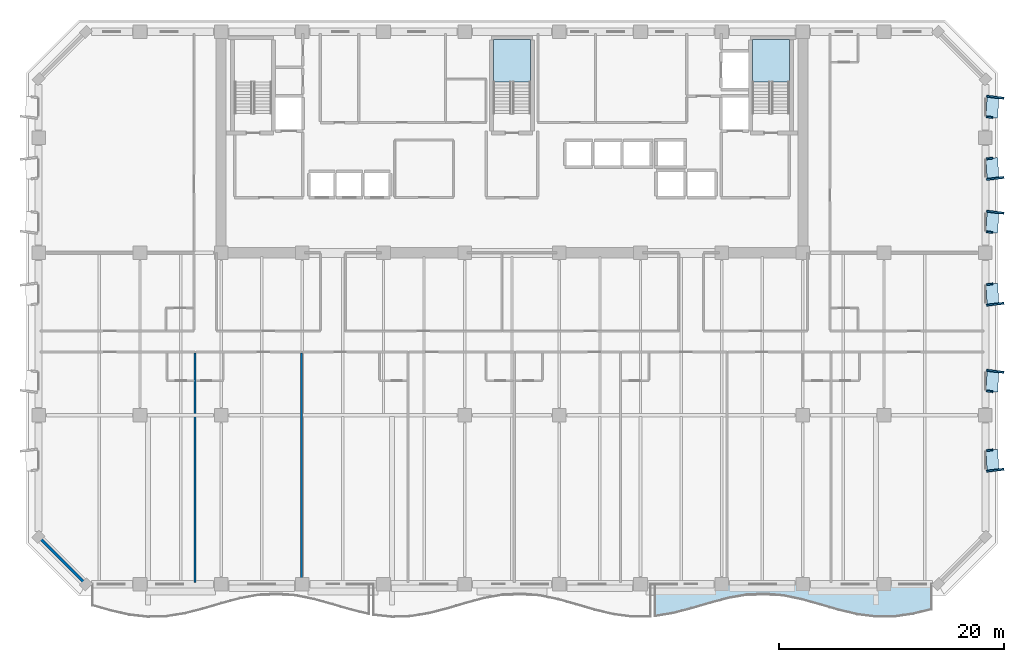
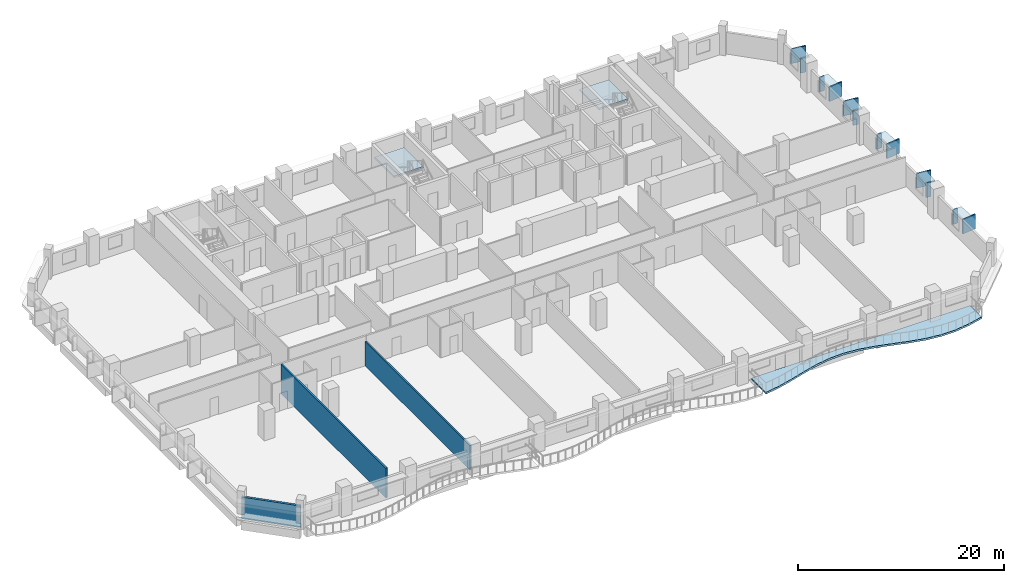
# One storey, part 3 of 14: 18 plates, 3 slabs, 3 walls, 2 elements without a shape of their own.
"""IFC4 building model written with IfcOpenShell, lengths in metres."""

from ifc_helpers import new_model, si_unit, direction, frame, frame_2d, origin, origin_2d, place, context, subcontext, project, spatial, polyline, rectangle, outline, extrude, material, layer, layer_set, type_object, element, aggregate, save


model = new_model("IFC4")

# Units and contexts
model_context = context("Model", 3, precision=1e-05, world=origin(), true_north=direction((0.0, 1.0)))
body_context = subcontext(model_context, "Body", "Model", "MODEL_VIEW")
ifc_project = project(units=[si_unit("LENGTHUNIT", "METRE"), si_unit("AREAUNIT", "SQUARE_METRE"), si_unit("VOLUMEUNIT", "CUBIC_METRE"), si_unit("PLANEANGLEUNIT", "RADIAN"), si_unit("MASSUNIT", "GRAM", prefix="KILO")], contexts=[model_context])

# Site, building, storey
site_placement = place(None, origin())
site = spatial("IfcSite", under=ifc_project, at=site_placement, CompositionType="ELEMENT")
building_placement = place(site_placement, origin())
building = spatial("IfcBuilding", under=site, at=building_placement, Name="Kaelvorn Grand Hotel", CompositionType="ELEMENT")
storey_placement = place(building_placement, frame((0.0, 0.0, 85.550048828125)))
storey = spatial("IfcBuildingStorey", under=building, at=storey_placement, Name="L19", CompositionType="ELEMENT", Elevation=85.550048828125)

# Plates
ifc_material_1 = material(Name="Precast concrete C45/55", Category="concrete")
ifc_layer_1 = layer(ifc_material_1, 0.159912109375)
ifc_layer_set_1 = layer_set([ifc_layer_1], Name="Precast concrete C45/55")
plate_type_1 = type_object("IfcPlateType", Name="PL-FRAME-DEEP-1550", PredefinedType="USERDEFINED", material=ifc_layer_set_1)
for number, where, z_axis, x_axis, name in (
    (1, (84.864990234375, 10.110107421875, 0.68994140625), (0.0, 0.0, 1.0), (-0.121869343405, 0.992546151641, 0.0), "L19 Tilted Precast Window Frame Fin L-E01"),
    (2, (84.864990234375, 18.889892578125, 0.68994140625), (0.0, 0.0, 1.0), (0.121869343405, 0.992546151641, 0.0), "L19 Tilted Precast Window Frame Fin R-E02"),
    (3, (84.864990234375, 24.8349609375, 0.68994140625), (0.0, 0.0, 1.0), (-0.121869343405, 0.992546151641, 0.0), "L19 Tilted Precast Window Frame Fin L-E03"),
    (4, (84.864990234375, 33.0048828125, 0.68994140625), (0.0, 0.0, 1.0), (0.121869343405, 0.992546151641, 0.0), "L19 Tilted Precast Window Frame Fin R-E04"),
    (5, (84.864990234375, 35.9951171875, 0.68994140625), (0.0, 0.0, 1.0), (-0.121869343405, 0.992546151641, 0.0), "L19 Tilted Precast Window Frame Fin L-E05"),
    (6, (84.864990234375, 43.205078125, 0.68994140625), (0.0, 0.0, 1.0), (0.121869343405, 0.992546151641, 0.0), "L19 Tilted Precast Window Frame Fin R-E06"),
):
    element("IfcPlate", number, at=place(storey_placement, frame(where, z_axis=z_axis, x_axis=x_axis)), inside=storey, type_object=plate_type_1, Name=name, ObjectType="FLANGE_PLATE", PredefinedType="USERDEFINED", context=body_context, shape_type="SweptSolid", body=[
        extrude(rectangle(XDim=0.159912109375, YDim=1.550048828125, at=origin_2d()), origin(), (0.0, 0.0, 1.0), 1.719970703125),
    ])
ifc_layer_2 = layer(ifc_material_1, 0.159912109375)
ifc_layer_set_2 = layer_set([ifc_layer_2], Name="Precast concrete C45/55")
plate_type_2 = type_object("IfcPlateType", Name="PL-FRAME-HEAD-1050", PredefinedType="USERDEFINED", material=ifc_layer_set_2)
for number, where, z_axis, x_axis, name in (
    (7, (84.614990234375, 11.0, 2.25), (0.0, 0.0, 1.0), (-0.054950179912, 0.998489097451, 0.0), "L19 Precast Window Frame Head Hood H-E01"),
    (8, (84.614990234375, 18.0, 2.25), (0.0, 0.0, 1.0), (0.054950179912, 0.998489097451, 0.0), "L19 Precast Window Frame Head Hood H-E02"),
    (9, (84.614990234375, 25.72509765625, 2.25), (0.0, 0.0, 1.0), (-0.054950179912, 0.998489097451, 0.0), "L19 Precast Window Frame Head Hood H-E03"),
    (10, (84.614990234375, 32.114990234375, 2.25), (0.0, 0.0, 1.0), (0.054950179912, 0.998489097451, 0.0), "L19 Precast Window Frame Head Hood H-E04"),
    (11, (84.614990234375, 36.885009765625, 2.25), (0.0, 0.0, 1.0), (-0.054950179912, 0.998489097451, 0.0), "L19 Precast Window Frame Head Hood H-E05"),
    (12, (84.614990234375, 42.31494140625, 2.25), (0.0, 0.0, 1.0), (0.054950179912, 0.998489097451, 0.0), "L19 Precast Window Frame Head Hood H-E06"),
):
    element("IfcPlate", number, at=place(storey_placement, frame(where, z_axis=z_axis, x_axis=x_axis)), inside=storey, type_object=plate_type_2, Name=name, ObjectType="FLANGE_PLATE", PredefinedType="USERDEFINED", context=body_context, shape_type="SweptSolid", body=[
        extrude(rectangle(XDim=1.860107421875, YDim=1.050048828125, at=origin_2d()), origin(), (0.0, 0.0, 1.0), 0.159912109375),
    ])
ifc_layer_3 = layer(ifc_material_1, 0.159912109375)
ifc_layer_set_3 = layer_set([ifc_layer_3], Name="Precast concrete C45/55")
plate_type_3 = type_object("IfcPlateType", Name="PL-FRAME-SHAL-550", PredefinedType="USERDEFINED", material=ifc_layer_set_3)
for number, where, z_axis, x_axis, name in (
    (13, (84.364990234375, 11.889892578125, 0.68994140625), (0.0, 0.0, 1.0), (-0.121869343405, 0.992546151641, 0.0), "L19 Tilted Precast Window Frame Fin R-E01"),
    (14, (84.364990234375, 17.110107421875, 0.68994140625), (0.0, 0.0, 1.0), (0.121869343405, 0.992546151641, 0.0), "L19 Tilted Precast Window Frame Fin L-E02"),
    (15, (84.364990234375, 26.614990234375, 0.68994140625), (0.0, 0.0, 1.0), (-0.121869343405, 0.992546151641, 0.0), "L19 Tilted Precast Window Frame Fin R-E03"),
    (16, (84.364990234375, 31.22509765625, 0.68994140625), (0.0, 0.0, 1.0), (0.121869343405, 0.992546151641, 0.0), "L19 Tilted Precast Window Frame Fin L-E04"),
    (17, (84.364990234375, 37.77490234375, 0.68994140625), (0.0, 0.0, 1.0), (-0.121869343405, 0.992546151641, 0.0), "L19 Tilted Precast Window Frame Fin R-E05"),
    (18, (84.364990234375, 41.425048828125, 0.68994140625), (0.0, 0.0, 1.0), (0.121869343405, 0.992546151641, 0.0), "L19 Tilted Precast Window Frame Fin L-E06"),
):
    element("IfcPlate", number, at=place(storey_placement, frame(where, z_axis=z_axis, x_axis=x_axis)), inside=storey, type_object=plate_type_3, Name=name, ObjectType="FLANGE_PLATE", PredefinedType="USERDEFINED", context=body_context, shape_type="SweptSolid", body=[
        extrude(rectangle(XDim=0.159912109375, YDim=0.550048828125, at=origin_2d()), origin(), (0.0, 0.0, 1.0), 1.719970703125),
    ])

# Slab
ifc_material_2 = material(Name="Concrete C40/50", Category="concrete")
ifc_layer_4 = layer(ifc_material_2, 0.219970703125)
ifc_layer_set_4 = layer_set([ifc_layer_4], Name="Concrete C40/50")
slab_type_1 = type_object("IfcSlabType", Name="SLB-BALC-220-C40", PredefinedType="FLOOR", material=ifc_layer_set_4)
slab_1_placement = place(storey_placement, frame((0.0, 0.0, -0.219970703125)))
element("IfcSlab", 19, at=slab_1_placement, inside=storey, type_object=slab_type_1, Name="L19 Scalloped Wave Balcony Slab 3", PredefinedType="FLOOR", context=body_context, shape_type="SweptSolid", body=[
    extrude(outline(polyline([(54.666748046875, -2.831298828125), (56.30224609375, -2.555908203125), (57.937744140625, -2.12939453125), (59.5732421875, -1.646240234375), (61.208984375, -1.214111328125), (62.844482421875, -0.9287109375), (64.47998046875, -0.853515625), (66.115478515625, -1.005126953125), (67.751220703125, -1.349853515625), (69.38671875, -1.8115234375), (71.022216796875, -2.287109375), (72.65771484375, -2.671142578125), (74.293212890625, -2.87841796875), (75.928955078125, -2.86279296875), (77.564453125, -2.627685546875), (79.199951171875, -2.2255859375), (79.199951171875, 0.0), (54.666748046875, 0.0), (54.666748046875, -2.831298828125)])), origin(), (0.0, 0.0, 1.0), 0.219970703125),
])

# Stair, slab
stair_type = type_object("IfcStairType", Name="STR-DOG-1560-R06", PredefinedType="HALF_TURN_STAIR", material=ifc_material_2)
stair_1_placement = place(storey_placement, origin())
stair_1 = element("IfcStair", 20, at=stair_1_placement, inside=storey, type_object=stair_type, Name="L19 Central Core Exit Stair ST2", PredefinedType="HALF_TURN_STAIR")
ifc_layer_5 = layer(ifc_material_2, 0.199951171875)
ifc_layer_set_5 = layer_set([ifc_layer_5], Name="Concrete C40/50")
slab_type_2 = type_object("IfcSlabType", Name="SLB-LAND-200-C40", PredefinedType="LANDING", material=ifc_layer_set_5)
slab_2_placement = place(storey_placement, frame((0.0, 0.0, 1.675048828125)))
slab_2 = element("IfcSlab", 21, at=slab_2_placement, type_object=slab_type_2, Name="ST2 landing 1", PredefinedType="LANDING", context=body_context, shape_type="SweptSolid", body=[
    extrude(outline(polyline([(43.639892578125, 44.56005859375), (43.639892578125, 48.300048828125), (40.360107421875, 48.300048828125), (40.360107421875, 44.56005859375), (43.639892578125, 44.56005859375)])), origin(), (0.0, 0.0, 1.0), 0.199951171875),
])
aggregate(stair_1, [slab_2])

stair_2_placement = place(storey_placement, origin())
stair_2 = element("IfcStair", 22, at=stair_2_placement, inside=storey, type_object=stair_type, Name="L19 East Core Exit Stair ST3", PredefinedType="HALF_TURN_STAIR")
slab_3_placement = place(storey_placement, frame((0.0, 0.0, 1.675048828125)))
slab_3 = element("IfcSlab", 23, at=slab_3_placement, type_object=slab_type_2, Name="ST3 landing 1", PredefinedType="LANDING", context=body_context, shape_type="SweptSolid", body=[
    extrude(outline(polyline([(66.60009765625, 44.56005859375), (66.60009765625, 48.300048828125), (63.320068359375, 48.300048828125), (63.320068359375, 44.56005859375), (66.60009765625, 44.56005859375)])), origin(), (0.0, 0.0, 1.0), 0.199951171875),
])
aggregate(stair_2, [slab_3])

# Walls
ifc_layer_6 = layer(ifc_material_2, 0.260009765625)
ifc_layer_set_6 = layer_set([ifc_layer_6], Name="Concrete C40/50")
wall_type_1 = type_object("IfcWallType", Name="WL-EXT-260-C40", PredefinedType="SOLIDWALL", material=ifc_layer_set_6)
wall_1_placement = place(storey_placement, frame((0.0, 4.199951171875, 0.0), z_axis=(0.0, 0.0, 1.0), x_axis=(0.707106781187, -0.707106781187, 0.0)))
element("IfcWall", 24, at=wall_1_placement, inside=storey, type_object=wall_type_1, Name="L19 Exterior Architectural Concrete Wall 08", PredefinedType="SOLIDWALL", context=body_context, shape_type="SweptSolid", body=[
    extrude(rectangle(XDim=5.939697265625, YDim=0.260009765625, at=frame_2d((2.9697265625, 0.0))), origin(), (0.0, 0.0, 1.0), 2.56005859375),
])
ifc_material_3 = material(Name="Acoustic Gypsum & Stud Partition")
ifc_layer_7 = layer(ifc_material_3, 0.179931640625)
ifc_layer_set_7 = layer_set([ifc_layer_7], Name="Acoustic Gypsum & Stud Partition")
wall_type_2 = type_object("IfcWallType", Name="WL-PART-180-EI60", PredefinedType="PARTITIONING", material=ifc_layer_set_7)
wall_2_placement = place(storey_placement, frame((13.8876953125, 0.14990234375, 0.0), z_axis=(0.0, 0.0, 1.0), x_axis=(0.0, 1.0, 0.0)))
element("IfcWall", 25, at=wall_2_placement, inside=storey, type_object=wall_type_2, Name="L19 Presidential Sky Suite L19-01 E Partition", PredefinedType="PARTITIONING", context=body_context, shape_type="SweptSolid", body=[
    extrude(rectangle(XDim=20.35498046875, YDim=0.179931640625, at=frame_2d((10.177490234375, 0.0))), origin(), (0.0, 0.0, 1.0), 3.510009765625),
])
wall_3_placement = place(storey_placement, frame((23.325439453125, 0.14990234375, 0.0), z_axis=(0.0, 0.0, 1.0), x_axis=(0.0, 1.0, 0.0)))
element("IfcWall", 26, at=wall_3_placement, inside=storey, type_object=wall_type_2, Name="L19 Deluxe Panoramic Suite L19-02 E Partition", PredefinedType="PARTITIONING", context=body_context, shape_type="SweptSolid", body=[
    extrude(rectangle(XDim=20.35498046875, YDim=0.179931640625, at=frame_2d((10.177490234375, 0.0))), origin(), (0.0, 0.0, 1.0), 2.897705078125),
])

save(model, "model.ifc")
